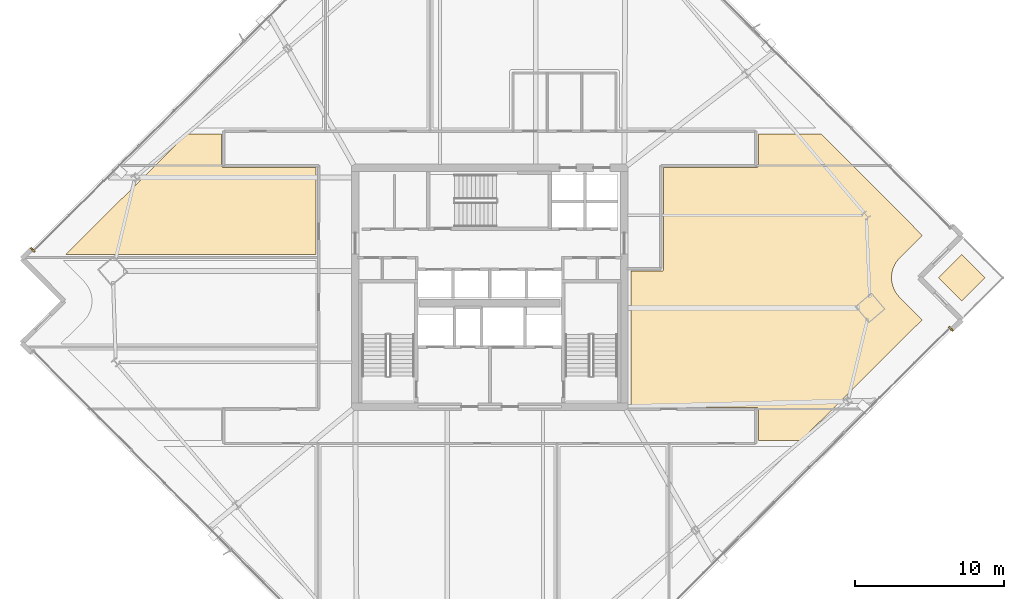
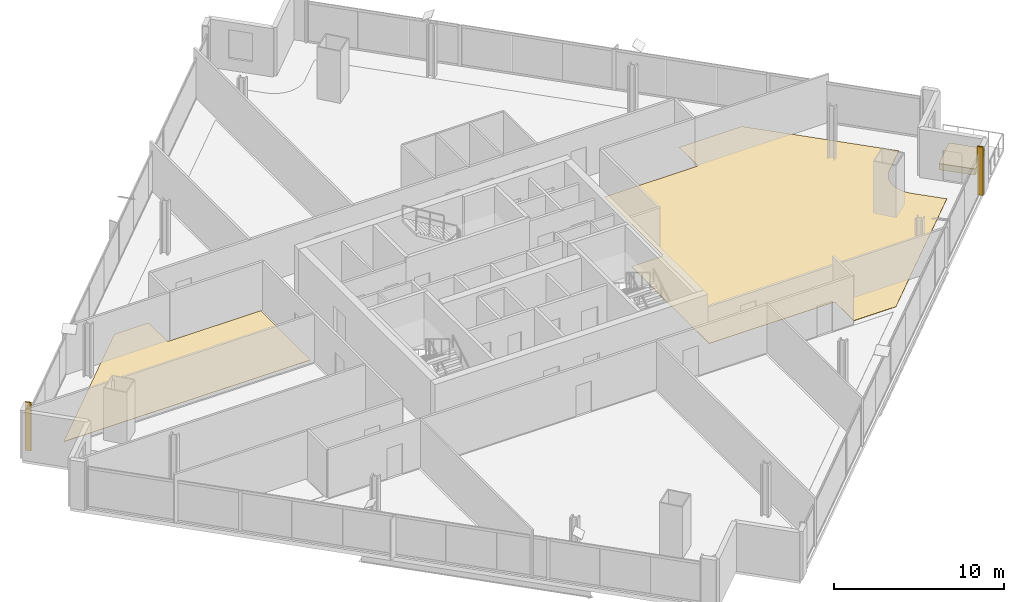
# One storey, part 30 of 32: 5 coverings.
"""IFC4 building model written with IfcOpenShell, lengths in metres."""

import ifcopenshell
import ifcopenshell.guid

model = None  # the IFC model being written
_history = None  # IfcOwnerHistory: only IFC2X3 demands one
_inside = {}  # id of a spatial element -> (the spatial element, [elements in it])
_under = {}  # id of a project, library or spatial element -> (it, [spatial elements below it])
_declared = {}  # id of a project -> (the project, [libraries it declares])
_typed = {}  # id of a type object -> (the type object, [elements of that type])
_made_of = {}  # id of a material, layer set ... -> (it, [elements and type objects made of it])


def new_model(schema):
    """Start an empty IFC model of exactly this schema.

    Asked for "IFC4X3", IfcOpenShell would pick the latest addendum, in which some entities
    have other attributes; the version numbers below select the first issue.
    IFC2X3 requires an IfcOwnerHistory on every rooted entity: one is made here for all.
    """
    global model, _history
    if schema == "IFC4X3":
        model = ifcopenshell.file(schema_version=(4, 3, 0, 0))
    else:
        model = ifcopenshell.file(schema=schema)
    _inside.clear()
    _under.clear()
    _declared.clear()
    _typed.clear()
    _made_of.clear()
    _history = None
    if model.schema == "IFC2X3":
        org = make("IfcOrganization", Name="unknown")
        user = make(
            "IfcPersonAndOrganization",
            ThePerson=make("IfcPerson", FamilyName="unknown"),
            TheOrganization=org,
        )
        app = make(
            "IfcApplication",
            ApplicationDeveloper=org,
            Version="unknown",
            ApplicationFullName="unknown",
            ApplicationIdentifier="unknown",
        )
        _history = make(
            "IfcOwnerHistory",
            OwningUser=user,
            OwningApplication=app,
            ChangeAction="ADDED",
            CreationDate=0,
        )
    return model


def make(cls, **values):
    """One entity of the class cls with the attributes given. An attribute that is None is left unset."""
    return model.create_entity(
        cls, **{name: value for name, value in values.items() if value is not None}
    )


def rooted(cls, **values):
    """An entity with a GlobalId (a new one), such as an element, a storey or a relation."""
    return make(cls, GlobalId=ifcopenshell.guid.new(), OwnerHistory=_history, **values)


def si_unit(unit_type, name, prefix=None):
    """IfcSIUnit, for example si_unit("LENGTHUNIT", "METRE", prefix="MILLI")."""
    return make("IfcSIUnit", UnitType=unit_type, Prefix=prefix, Name=name)


def assignment(units):
    """IfcUnitAssignment: the units of a project."""
    return None if units is None else make("IfcUnitAssignment", Units=units)


def point(xyz):
    """IfcCartesianPoint."""
    return None if xyz is None else make("IfcCartesianPoint", Coordinates=xyz)


def direction(xyz):
    """IfcDirection."""
    return None if xyz is None else make("IfcDirection", DirectionRatios=xyz)


def frame(location, z_axis=None, x_axis=None):
    """IfcAxis2Placement3D, a coordinate frame: its origin and axes. An axis left out is left unset."""
    return make(
        "IfcAxis2Placement3D",
        Location=point(location),
        Axis=direction(z_axis),
        RefDirection=direction(x_axis),
    )


def frame_2d(location, x_axis=None):
    """IfcAxis2Placement2D, a coordinate frame in the plane: its origin and x axis."""
    return make(
        "IfcAxis2Placement2D", Location=point(location), RefDirection=direction(x_axis)
    )


def origin():
    """The frame at (0, 0, 0) with its axes left unset."""
    return frame((0.0, 0.0, 0.0))


def origin_2d():
    """The frame at (0, 0) in the plane with its x axis left unset."""
    return frame_2d((0.0, 0.0))


def place(relative_to, where):
    """IfcLocalPlacement: puts the frame where relative to a parent placement (None: the world)."""
    return make(
        "IfcLocalPlacement", PlacementRelTo=relative_to, RelativePlacement=where
    )


def context(
    kind, dimensions, precision=None, world=None, true_north=None, identifier=None
):
    """IfcGeometricRepresentationContext, for example the 3D "Model" context."""
    return make(
        "IfcGeometricRepresentationContext",
        ContextIdentifier=identifier,
        ContextType=kind,
        CoordinateSpaceDimension=dimensions,
        Precision=precision,
        WorldCoordinateSystem=world,
        TrueNorth=true_north,
    )


def subcontext(parent, identifier, kind, view, scale=None):
    """IfcGeometricRepresentationSubContext, for example "Body" below "Model"."""
    return make(
        "IfcGeometricRepresentationSubContext",
        ContextIdentifier=identifier,
        ContextType=kind,
        ParentContext=parent,
        TargetScale=scale,
        TargetView=view,
    )


def project(units=None, contexts=None):
    """IfcProject with its units and contexts."""
    return rooted(
        "IfcProject",
        Name="project",
        RepresentationContexts=contexts,
        UnitsInContext=assignment(units),
    )


def spatial(cls, under=None, at=None, **own):
    """A site, building, storey or space (cls), placed at a placement, below another one or the project."""
    s = rooted(cls, ObjectPlacement=at, **own)
    if under is not None:
        _under.setdefault(under.id(), (under, []))[1].append(s)
    return s


def polyline(points):
    """IfcPolyline through the points."""
    return make("IfcPolyline", Points=[point(p) for p in points])


def profile(cls, at=None, kind="AREA", **sizes):
    """A parametric profile (cls). Its sizes go by their IFC names, for example OverallWidth=200.0."""
    return make(cls, ProfileType=kind, Position=at, **sizes)


def rectangle(**sizes):
    """IfcRectangleProfileDef."""
    return profile("IfcRectangleProfileDef", **sizes)


def outline(outer, holes=None, kind="AREA"):
    """IfcArbitraryClosedProfileDef: a profile drawn as a closed curve; with holes, ...WithVoids."""
    if holes is None:
        return make("IfcArbitraryClosedProfileDef", ProfileType=kind, OuterCurve=outer)
    return make(
        "IfcArbitraryProfileDefWithVoids",
        ProfileType=kind,
        OuterCurve=outer,
        InnerCurves=holes,
    )


def extrude(swept, where, along, depth):
    """IfcExtrudedAreaSolid: the profile swept, set in the frame where, extruded along a direction by depth."""
    return make(
        "IfcExtrudedAreaSolid",
        SweptArea=swept,
        Position=where,
        ExtrudedDirection=direction(along),
        Depth=depth,
    )


def shape(context_of_items, identifier, shape_type, items):
    """IfcShapeRepresentation: the items that make up one representation, for example the "Body"."""
    return make(
        "IfcShapeRepresentation",
        ContextOfItems=context_of_items,
        RepresentationIdentifier=identifier,
        RepresentationType=shape_type,
        Items=items,
    )


def source(mapping_origin, context_of_items, identifier, shape_type, items):
    """IfcRepresentationMap: a shape defined once, which mapped items show again and again."""
    return make(
        "IfcRepresentationMap",
        MappingOrigin=mapping_origin,
        MappedRepresentation=shape(context_of_items, identifier, shape_type, items),
    )


def transform(
    local_origin,
    x_axis=None,
    y_axis=None,
    z_axis=None,
    scale=None,
    scale2=None,
    scale3=None,
    uniform=True,
):
    """IfcCartesianTransformationOperator3D, or its non-uniform kind. x_axis, y_axis, z_axis: its Axis1, 2, 3."""
    if uniform:
        return make(
            "IfcCartesianTransformationOperator3D",
            Axis1=direction(x_axis),
            Axis2=direction(y_axis),
            LocalOrigin=point(local_origin),
            Scale=scale,
            Axis3=direction(z_axis),
        )
    return make(
        "IfcCartesianTransformationOperator3DnonUniform",
        Axis1=direction(x_axis),
        Axis2=direction(y_axis),
        LocalOrigin=point(local_origin),
        Scale=scale,
        Axis3=direction(z_axis),
        Scale2=scale2,
        Scale3=scale3,
    )


def mapped(mapping_source, mapping_target):
    """IfcMappedItem: shows the shape of a source again, moved by a transform."""
    return make(
        "IfcMappedItem", MappingSource=mapping_source, MappingTarget=mapping_target
    )


def material(Name=None, Category=None):
    """IfcMaterial."""
    return make("IfcMaterial", Name=Name, Category=Category)


def layer(
    of_material, thickness, ventilated=None, Name=None, Category=None, Priority=None
):
    """IfcMaterialLayer: one layer of a wall or slab, of a material (None: an air gap)."""
    return make(
        "IfcMaterialLayer",
        Material=of_material,
        LayerThickness=thickness,
        IsVentilated=ventilated,
        Name=Name,
        Category=Category,
        Priority=Priority,
    )


def layer_set(layers, Name=None):
    """IfcMaterialLayerSet."""
    return make("IfcMaterialLayerSet", MaterialLayers=layers, LayerSetName=Name)


def made_of(thing, what):
    """Note that an element or type object is made of a material, layer set ...; save() writes the relation."""
    if what is not None:
        _made_of.setdefault(what.id(), (what, []))[1].append(thing)
    return thing


def type_object(cls, material=None, **own):
    """A type object (cls), such as IfcWallType, which elements share."""
    return made_of(rooted(cls, **own), material)


def element(
    cls,
    number,
    at=None,
    inside=None,
    cuts=None,
    type_object=None,
    material=None,
    context=None,
    identifier="Body",
    shape_type=None,
    held_by="IfcProductDefinitionShape",
    body=None,
    shapes=None,
    **own,
):
    """One element of the class cls, such as IfcWall. Its Tag is "e" and its number.

    at: its placement. inside: the storey or other place that contains it. cuts: it is an
    opening in that element (IfcRelVoidsElement). A single representation is given by context,
    identifier, shape_type and body (its items); several are given by shapes. held_by: the class
    of the entity that holds the representations. save() writes the other relations.
    """
    e = rooted(cls, Tag="e%d" % number, ObjectPlacement=at, **own)
    if body is not None:
        shapes = [shape(context, identifier, shape_type, body)]
    if shapes is not None:
        e.Representation = make(held_by, Representations=shapes)
    if inside is not None:
        _inside.setdefault(inside.id(), (inside, []))[1].append(e)
    if cuts is not None:
        rooted(
            "IfcRelVoidsElement", RelatingBuildingElement=cuts, RelatedOpeningElement=e
        )
    if type_object is not None:
        _typed.setdefault(type_object.id(), (type_object, []))[1].append(e)
    return made_of(e, material)


def aggregate(whole, parts):
    """IfcRelAggregates: a whole, such as a stair, and the parts it consists of."""
    return rooted("IfcRelAggregates", RelatingObject=whole, RelatedObjects=parts)


def save(model, path):
    """Write the relations noted so far, then the file.

    IfcRelAggregates (storeys below a building ...), IfcRelContainedInSpatialStructure (elements
    in a storey), IfcRelDefinesByType, IfcRelAssociatesMaterial and IfcRelDeclares: one each for
    every whole, place, type object, material and project.
    """
    for whole, parts in _under.values():
        aggregate(whole, parts)
    for where, things in _inside.values():
        rooted(
            "IfcRelContainedInSpatialStructure",
            RelatedElements=things,
            RelatingStructure=where,
        )
    for kind, things in _typed.values():
        rooted("IfcRelDefinesByType", RelatedObjects=things, RelatingType=kind)
    for what, things in _made_of.values():
        rooted("IfcRelAssociatesMaterial", RelatedObjects=things, RelatingMaterial=what)
    for by, libraries in _declared.values():
        rooted("IfcRelDeclares", RelatingContext=by, RelatedDefinitions=libraries)
    model.write(path)


model = new_model("IFC4")

# Units and contexts
model_context = context("Model", 3, precision=1e-05, world=origin(), true_north=direction((0.0, 1.0)))
body_context = subcontext(model_context, "Body", "Model", "MODEL_VIEW")
ifc_project = project(units=[si_unit("LENGTHUNIT", "METRE"), si_unit("AREAUNIT", "SQUARE_METRE"), si_unit("VOLUMEUNIT", "CUBIC_METRE"), si_unit("PLANEANGLEUNIT", "RADIAN"), si_unit("MASSUNIT", "GRAM", prefix="KILO")], contexts=[model_context])

# Site, building, storey
site_placement = place(None, origin())
site = spatial("IfcSite", under=ifc_project, at=site_placement, CompositionType="ELEMENT")
building_placement = place(site_placement, origin())
building = spatial("IfcBuilding", under=site, at=building_placement, Name="Haldenkirk Collegiate Tower", CompositionType="ELEMENT")
storey_placement = place(building_placement, frame((0.0, 0.0, 178.199951171875)))
storey = spatial("IfcBuildingStorey", under=building, at=storey_placement, Name="L44", CompositionType="ELEMENT", Elevation=178.199951171875)

# Coverings
ifc_material_1 = material(Name="Polished collegiate terrazzo", Category="concrete")
ifc_layer_1 = layer(ifc_material_1, 0.02490234375)
ifc_layer_set_1 = layer_set([ifc_layer_1], Name="Polished collegiate terrazzo")
covering_type_1 = type_object("IfcCoveringType", Name="COV-FLOOR-TERRAZZO", PredefinedType="FLOORING", material=ifc_layer_set_1)
covering_1_placement = place(storey_placement, origin())
element("IfcCovering", 1, at=covering_1_placement, inside=storey, type_object=covering_type_1, Name="L44 academic room finish 10", PredefinedType="FLOORING", context=body_context, shape_type="SweptSolid", body=[
    extrude(outline(polyline([(15.704833984375, 36.25), (18.030029296875, 36.25), (18.030029296875, 34.14990234375), (18.030517578125, 34.13818359375), (18.0322265625, 34.126708984375), (18.03515625, 34.115234375), (18.0390625, 34.10400390625), (18.044189453125, 34.093505859375), (18.05029296875, 34.083251953125), (18.05712890625, 34.073974609375), (18.065185546875, 34.065185546875), (18.073974609375, 34.05712890625), (18.083251953125, 34.05029296875), (18.093505859375, 34.044189453125), (18.10400390625, 34.0390625), (18.115234375, 34.03515625), (18.126708984375, 34.0322265625), (18.13818359375, 34.030517578125), (18.14990234375, 34.030029296875), (24.35009765625, 34.030029296875), (24.35009765625, 28.199951171875), (7.612548828125, 28.199951171875), (15.704833984375, 36.25)])), origin(), (0.0, 0.0, 1.0), 0.025146484375),
])
ifc_material_2 = material(Name="Engineered collegiate oak acoustic flooring", Category="wood")
ifc_layer_2 = layer(ifc_material_2, 0.02197265625)
ifc_layer_set_2 = layer_set([ifc_layer_2], Name="Engineered collegiate oak acoustic flooring")
covering_type_2 = type_object("IfcCoveringType", Name="COV-FLOOR-TIMBER", PredefinedType="FLOORING", material=ifc_layer_set_2)
covering_2_placement = place(storey_placement, origin())
element("IfcCovering", 2, at=covering_2_placement, inside=storey, type_object=covering_type_2, Name="L44 academic room finish 11", PredefinedType="FLOORING", context=body_context, shape_type="SweptSolid", body=[
    extrude(outline(polyline([(63.444580078125, 27.975341796875), (63.4404296875, 27.970947265625), (63.32470703125, 27.843994140625), (63.3173828125, 27.8349609375), (63.214599609375, 27.697265625), (63.2080078125, 27.6875), (63.119384765625, 27.54052734375), (63.11376953125, 27.530029296875), (63.0400390625, 27.375), (63.035400390625, 27.364013671875), (62.977294921875, 27.20263671875), (62.973876953125, 27.19140625), (62.931640625, 27.02490234375), (62.92919921875, 27.01318359375), (62.903564453125, 26.843505859375), (62.902587890625, 26.831787109375), (62.8935546875, 26.660400390625), (62.8935546875, 26.6484375), (62.901611328125, 26.476806640625), (62.902587890625, 26.465087890625), (62.92724609375, 26.29541015625), (62.9296875, 26.28369140625), (62.970947265625, 26.116943359375), (62.974365234375, 26.105712890625), (63.03173828125, 25.94384765625), (63.036376953125, 25.93310546875), (63.109375, 25.777587890625), (63.11474609375, 25.76708984375), (63.20263671875, 25.61962890625), (63.209228515625, 25.60986328125), (63.31103515625, 25.4716796875), (63.318603515625, 25.462646484375), (63.43359375, 25.3349609375), (63.4375, 25.330810546875), (64.939697265625, 23.820556640625), (56.826904296875, 15.75), (53.969970703125, 15.75), (53.969970703125, 17.85009765625), (53.969482421875, 17.86181640625), (53.9677734375, 17.873291015625), (53.96484375, 17.884765625), (53.9609375, 17.89599609375), (53.955810546875, 17.906494140625), (53.94970703125, 17.916748046875), (53.94287109375, 17.926025390625), (53.934814453125, 17.934814453125), (53.926025390625, 17.94287109375), (53.916748046875, 17.94970703125), (53.906494140625, 17.955810546875), (53.89599609375, 17.9609375), (53.884765625, 17.96484375), (53.873291015625, 17.9677734375), (53.86181640625, 17.969482421875), (53.85009765625, 17.969970703125), (45.449951171875, 17.969970703125), (45.449951171875, 27.080078125), (47.5, 27.080078125), (47.51171875, 27.08056640625), (47.5234375, 27.082275390625), (47.534912109375, 27.085205078125), (47.5458984375, 27.089111328125), (47.556640625, 27.09423828125), (47.566650390625, 27.10009765625), (47.576171875, 27.107177734375), (47.5849609375, 27.114990234375), (47.5927734375, 27.123779296875), (47.599853515625, 27.13330078125), (47.605712890625, 27.143310546875), (47.61083984375, 27.154052734375), (47.61474609375, 27.165283203125), (47.61767578125, 27.176513671875), (47.619384765625, 27.188232421875), (47.6201171875, 27.199951171875), (47.6201171875, 34.030029296875), (53.85009765625, 34.030029296875), (53.86181640625, 34.030517578125), (53.873291015625, 34.0322265625), (53.884765625, 34.03515625), (53.89599609375, 34.0390625), (53.906494140625, 34.044189453125), (53.916748046875, 34.05029296875), (53.926025390625, 34.05712890625), (53.934814453125, 34.065185546875), (53.94287109375, 34.073974609375), (53.94970703125, 34.083251953125), (53.955810546875, 34.093505859375), (53.9609375, 34.10400390625), (53.96484375, 34.115234375), (53.9677734375, 34.126708984375), (53.969482421875, 34.13818359375), (53.969970703125, 34.14990234375), (53.969970703125, 36.25), (58.21728515625, 36.25), (64.95458984375, 29.477294921875), (63.444580078125, 27.975341796875)])), origin(), (0.0, 0.0, 1.0), 0.02197265625),
])
ifc_material_3 = material(Name="Precast concrete f'c 40 MPa", Category="concrete")
ifc_layer_3 = layer(ifc_material_3, 0.449951171875)
ifc_layer_set_3 = layer_set([ifc_layer_3], Name="Precast concrete f'c 40 MPa")
covering_type_3 = type_object("IfcCoveringType", Name="COV-PLANTER-450", PredefinedType="USERDEFINED", material=ifc_layer_set_3)
covering_3_placement = place(storey_placement, origin())
element("IfcCovering", 3, at=covering_3_placement, inside=storey, type_object=covering_type_3, Name="L44 planted garden planter bed", ObjectType="PLANTER", PredefinedType="USERDEFINED", context=body_context, shape_type="SweptSolid", body=[
    extrude(outline(polyline([(67.587646484375, 25.08642578125), (66.0361328125, 26.646240234375), (67.595947265625, 28.19775390625), (69.1474609375, 26.637939453125), (67.587646484375, 25.08642578125)])), origin(), (0.0, 0.0, 1.0), 0.449951171875),
])
ifc_material_4 = material(Name="Anodised architectural bronze aluminium", Category="aluminium")
ifc_layer_4 = layer(ifc_material_4, 0.06005859375)
ifc_layer_set_4 = layer_set([ifc_layer_4], Name="Anodised architectural bronze aluminium")
covering_type_4 = type_object("IfcCoveringType", Name="COV-CLAD-BRONZE-60", PredefinedType="CLADDING", material=ifc_layer_set_4)
shared_shape = source(origin(), body_context, "Body", "SweptSolid", [
    extrude(rectangle(XDim=0.10009765625, YDim=0.3798828125, at=origin_2d()), origin(), (0.0, 0.0, 1.0), 3.4599609375),
])
for number, where, z_axis, x_axis, name in (
    (4, (66.861572265625, 23.2216796875, 0.0), (0.0, 0.0, 1.0), (-0.708955557081, -0.705253158862, 0.0), "L44 recessed curtain-wall bronze jamb closure SJL"),
    (5, (5.40283203125, 28.5126953125, 0.0), (0.0, 0.0, 1.0), (0.708955557081, 0.705253158862, 0.0), "L44 recessed curtain-wall bronze jamb closure NJL"),
):
    element("IfcCovering", number, at=place(storey_placement, frame(where, z_axis=z_axis, x_axis=x_axis)), inside=storey, type_object=covering_type_4, Name=name, PredefinedType="CLADDING", context=body_context, shape_type="MappedRepresentation", body=[
        mapped(shared_shape, transform((0.0, 0.0, 0.0), x_axis=(1.0, 0.0, 0.0), y_axis=(0.0, 1.0, 0.0), z_axis=(0.0, 0.0, 1.0), scale=1.0)),
    ])

save(model, "model.ifc")
